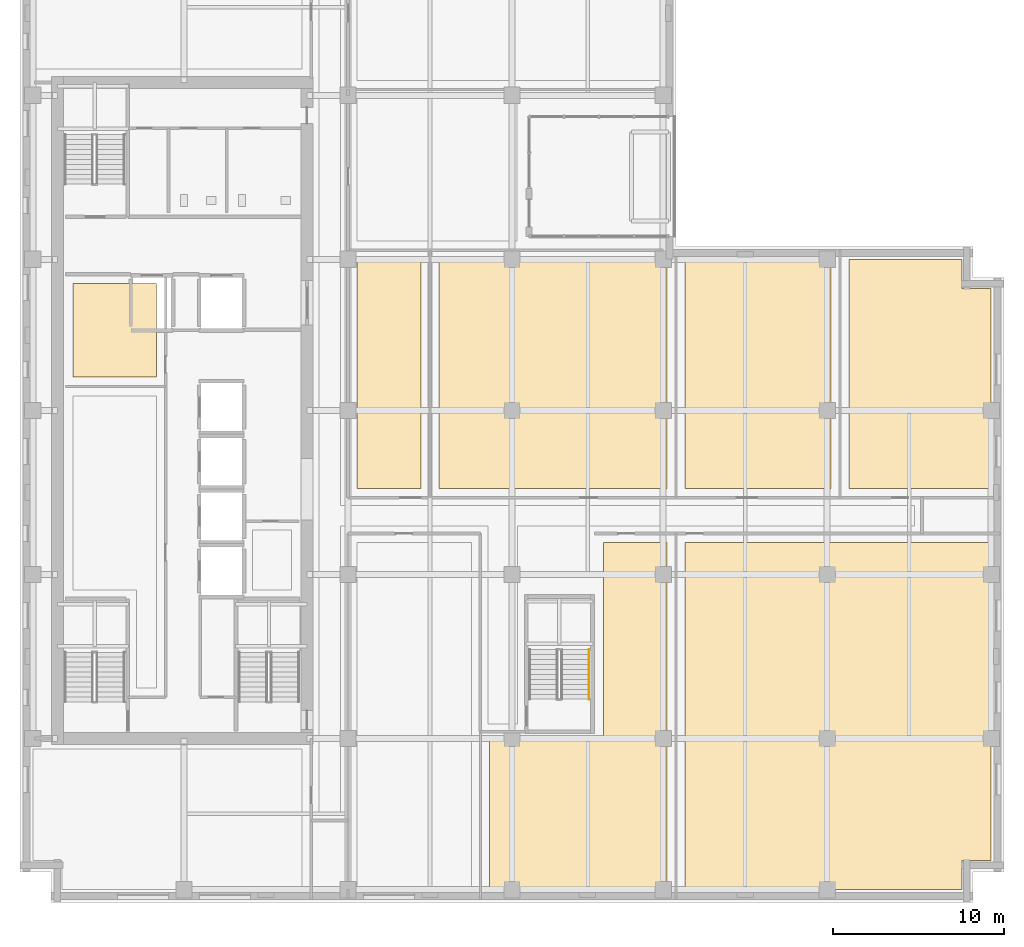
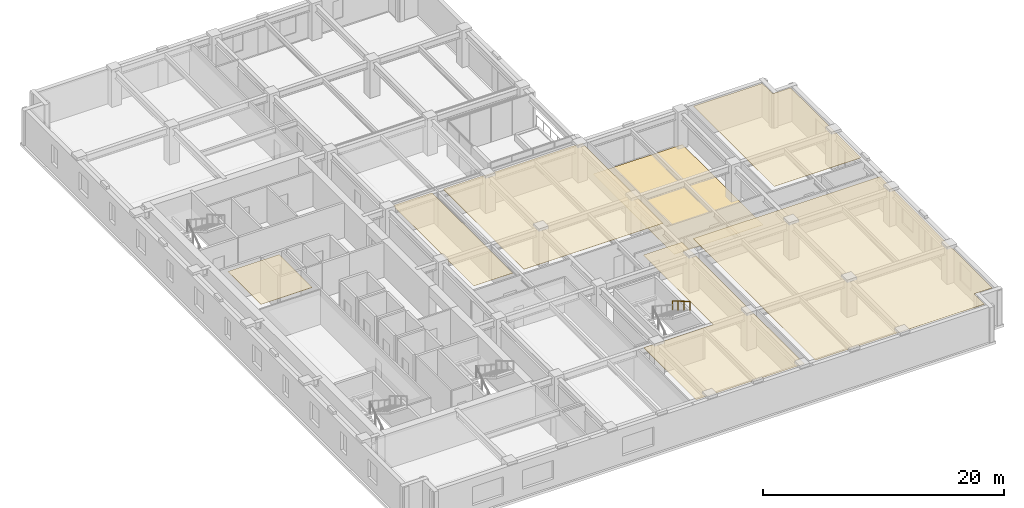
# One storey, part 13 of 16: 7 coverings, 1 railing.
"""IFC4 building model written with IfcOpenShell, lengths in metres."""

from ifc_helpers import new_model, si_unit, direction, frame, origin, origin_2d, place, context, subcontext, project, spatial, polyline, circle, outline, extrude, material, layer, layer_set, type_object, element, save


model = new_model("IFC4")

# Units and contexts
model_context = context("Model", 3, precision=1e-05, world=origin(), true_north=direction((0.0, 1.0)))
body_context = subcontext(model_context, "Body", "Model", "MODEL_VIEW")
ifc_project = project(units=[si_unit("LENGTHUNIT", "METRE"), si_unit("AREAUNIT", "SQUARE_METRE"), si_unit("VOLUMEUNIT", "CUBIC_METRE"), si_unit("PLANEANGLEUNIT", "RADIAN"), si_unit("MASSUNIT", "GRAM", prefix="KILO")], contexts=[model_context])

# Site, building, storey
site_placement = place(None, origin())
site = spatial("IfcSite", under=ifc_project, at=site_placement, CompositionType="ELEMENT")
building_placement = place(site_placement, origin())
building = spatial("IfcBuilding", under=site, at=building_placement, Name="Norrvale University Quadrangle", CompositionType="ELEMENT")
storey_placement = place(building_placement, frame((0.0, 0.0, 167.39990234375)))
storey = spatial("IfcBuildingStorey", under=building, at=storey_placement, Name="L42", CompositionType="ELEMENT", Elevation=167.39990234375)

# Coverings
ifc_material_1 = material(Name="Perforated Acoustic Mineral Ceiling")
ifc_layer_1 = layer(ifc_material_1, 0.02490234375, Name="Perforated Acoustic Mineral Ceiling")
ifc_layer_set_1 = layer_set([ifc_layer_1], Name="Perforated Acoustic Mineral Ceiling")
covering_type_1 = type_object("IfcCoveringType", Name="Covering Acoustic Ceiling 25", PredefinedType="CEILING", material=ifc_layer_set_1)
covering_1_placement = place(storey_placement, frame((0.0, 0.0, 3.51513671875)))
element("IfcCovering", 1, at=covering_1_placement, inside=storey, type_object=covering_type_1, Name="Acoustic Ceiling RM-L42-REC2", PredefinedType="CEILING", context=body_context, shape_type="SweptSolid", body=[
    extrude(outline(polyline([(3.10009765625, 30.75), (3.10009765625, 36.25), (8.0, 36.25), (8.0, 30.75), (3.10009765625, 30.75)])), origin(), (0.0, 0.0, 1.0), 0.02490234375),
])
covering_2_placement = place(storey_placement, frame((0.0, 0.0, 3.51513671875)))
element("IfcCovering", 2, at=covering_2_placement, inside=storey, type_object=covering_type_1, Name="Acoustic Ceiling RM-L42-SE2", PredefinedType="CEILING", context=body_context, shape_type="SweptSolid", body=[
    extrude(outline(polyline([(34.14990234375, 9.449951171875), (34.14990234375, 21.070068359375), (37.8701171875, 21.070068359375), (37.8701171875, 0.75), (27.47998046875, 0.75), (27.47998046875, 9.449951171875), (34.14990234375, 9.449951171875)])), origin(), (0.0, 0.0, 1.0), 0.02490234375),
])
covering_3_placement = place(storey_placement, frame((0.0, 0.0, 3.51513671875)))
element("IfcCovering", 3, at=covering_3_placement, inside=storey, type_object=covering_type_1, Name="Acoustic Ceiling RM-L42-SE3", PredefinedType="CEILING", context=body_context, shape_type="SweptSolid", body=[
    extrude(outline(polyline([(38.929931640625, 21.070068359375), (56.85009765625, 21.070068359375), (56.85009765625, 2.469970703125), (55.1298828125, 2.469970703125), (55.1298828125, 0.75), (38.929931640625, 0.75), (38.929931640625, 21.070068359375)])), origin(), (0.0, 0.0, 1.0), 0.02490234375),
])
covering_4_placement = place(storey_placement, frame((0.0, 0.0, 3.51513671875)))
element("IfcCovering", 4, at=covering_4_placement, inside=storey, type_object=covering_type_1, Name="Acoustic Ceiling RM-L42-ME01", PredefinedType="CEILING", context=body_context, shape_type="SweptSolid", body=[
    extrude(outline(polyline([(23.469970703125, 37.64990234375), (23.469970703125, 24.22998046875), (19.72998046875, 24.22998046875), (19.72998046875, 37.64990234375), (23.469970703125, 37.64990234375)])), origin(), (0.0, 0.0, 1.0), 0.02490234375),
])
covering_5_placement = place(storey_placement, frame((0.0, 0.0, 3.51513671875)))
element("IfcCovering", 5, at=covering_5_placement, inside=storey, type_object=covering_type_1, Name="Acoustic Ceiling RM-L42-ME02", PredefinedType="CEILING", context=body_context, shape_type="SweptSolid", body=[
    extrude(outline(polyline([(37.8701171875, 37.64990234375), (37.8701171875, 24.22998046875), (24.530029296875, 24.22998046875), (24.530029296875, 37.64990234375), (37.8701171875, 37.64990234375)])), origin(), (0.0, 0.0, 1.0), 0.02490234375),
])
covering_6_placement = place(storey_placement, frame((0.0, 0.0, 3.51513671875)))
element("IfcCovering", 6, at=covering_6_placement, inside=storey, type_object=covering_type_1, Name="Acoustic Ceiling RM-L42-ME04", PredefinedType="CEILING", context=body_context, shape_type="SweptSolid", body=[
    extrude(outline(polyline([(48.530029296875, 24.22998046875), (48.530029296875, 37.64990234375), (55.1298828125, 37.64990234375), (55.1298828125, 35.929931640625), (56.85009765625, 35.929931640625), (56.85009765625, 24.22998046875), (48.530029296875, 24.22998046875)])), origin(), (0.0, 0.0, 1.0), 0.02490234375),
])
ifc_material_2 = material(Name="Polished Terrazzo Flooring")
ifc_layer_2 = layer(ifc_material_2, 0.02490234375, Name="Polished Terrazzo Flooring")
ifc_layer_set_2 = layer_set([ifc_layer_2], Name="Polished Terrazzo Flooring")
covering_type_2 = type_object("IfcCoveringType", Name="Covering Terrazzo Floor 30", PredefinedType="FLOORING", material=ifc_layer_set_2)
covering_7_placement = place(storey_placement, origin())
element("IfcCovering", 7, at=covering_7_placement, inside=storey, type_object=covering_type_2, Name="Terrazzo Flooring RM-L42-ME03", PredefinedType="FLOORING", context=body_context, shape_type="SweptSolid", body=[
    extrude(outline(polyline([(47.469970703125, 37.64990234375), (47.469970703125, 24.22998046875), (38.929931640625, 24.22998046875), (38.929931640625, 37.64990234375), (47.469970703125, 37.64990234375)])), origin(), (0.0, 0.0, 1.0), 0.025146484375),
])

# Railing
ifc_material_3 = material(Name="Stainless Steel 316L Handrail", Category="steel")
railing_type = type_object("IfcRailingType", Name="Railing Stair Handrail 920", PredefinedType="HANDRAIL", material=ifc_material_3)
railing_placement = place(storey_placement, frame((33.31005859375, 14.800048828125, 2.07275390625)))
element("IfcRailing", 8, at=railing_placement, inside=storey, type_object=railing_type, Name="Stair Upper Flight Handrail ST-04 L42", PredefinedType="HANDRAIL", context=body_context, shape_type="SweptSolid", body=[
    extrude(circle(Radius=0.02392578125, at=origin_2d()), frame((0.0, 0.0, 0.89599609375), z_axis=(0.0, -0.859160404282, 0.51170636083), x_axis=(1.0, 0.0, 0.0)), (0.0, 0.0, 1.0), 3.37548828125),
    extrude(circle(Radius=0.02099609375, at=origin_2d()), origin(), (0.0, 0.0, 1.0), 0.871826171875),
    extrude(circle(Radius=0.02099609375, at=origin_2d()), frame((0.0, -0.966796875, 0.57568359375)), (0.0, 0.0, 1.0), 0.871826171875),
    extrude(circle(Radius=0.02099609375, at=origin_2d()), frame((0.0, -1.933349609375, 1.151611328125)), (0.0, 0.0, 1.0), 0.871826171875),
    extrude(circle(Radius=0.02099609375, at=origin_2d()), frame((0.0, -2.900146484375, 1.727294921875)), (0.0, 0.0, 1.0), 0.871826171875),
])

save(model, "model.ifc")
